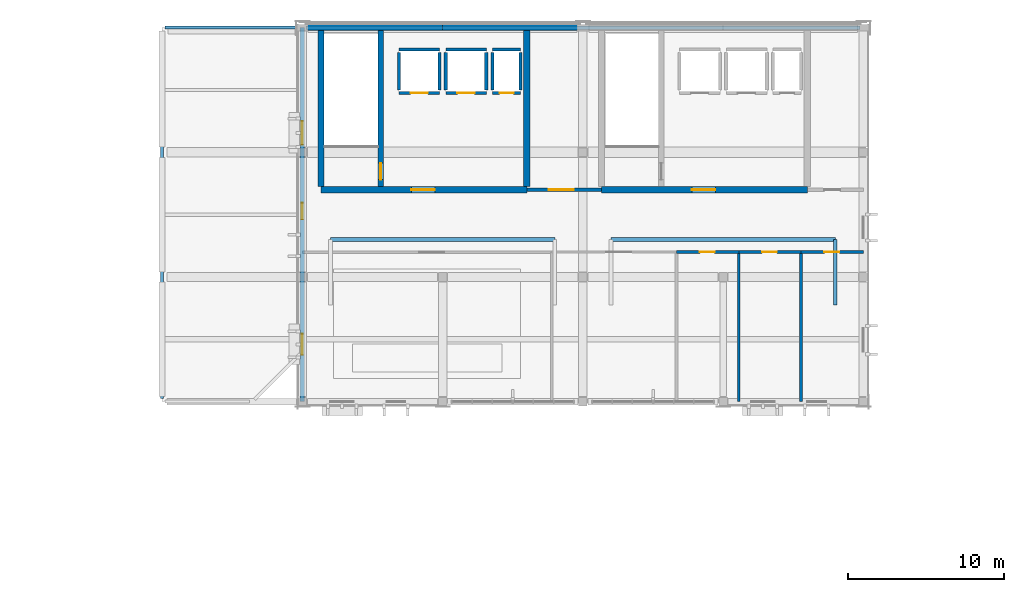
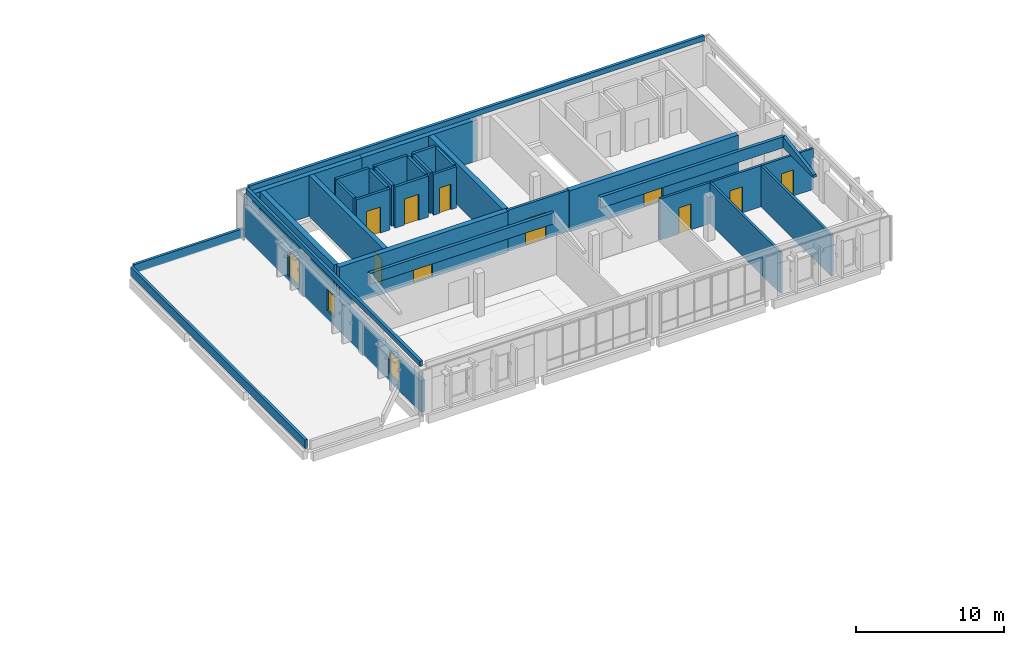
# One storey, part 8 of 12: 33 walls, 10 doors, 3 windows, 13 openings.
"""IFC4 building model written with IfcOpenShell, lengths in metres."""

from ifc_helpers import new_model, si_unit, direction, frame, frame_2d, origin, place, context, subcontext, project, spatial, polyline, rectangle, outline, extrude, material, layer, layer_set, type_object, element, fill, save


model = new_model("IFC4")

# Units and contexts
model_context = context("Model", 3, precision=1e-05, world=origin(), true_north=direction((0.0, 1.0)))
body_context = subcontext(model_context, "Body", "Model", "MODEL_VIEW")
ifc_project = project(units=[si_unit("LENGTHUNIT", "METRE"), si_unit("AREAUNIT", "SQUARE_METRE"), si_unit("VOLUMEUNIT", "CUBIC_METRE"), si_unit("PLANEANGLEUNIT", "RADIAN"), si_unit("MASSUNIT", "GRAM", prefix="KILO")], contexts=[model_context])

# Site, building, storey
site_placement = place(None, origin())
site = spatial("IfcSite", under=ifc_project, at=site_placement, CompositionType="ELEMENT")
building_placement = place(site_placement, origin())
building = spatial("IfcBuilding", under=site, at=building_placement, Name="Vervanel Yard Central Library", CompositionType="ELEMENT")
storey_placement = place(building_placement, frame((0.0, 0.0, 20.260009765625)))
storey = spatial("IfcBuildingStorey", under=building, at=storey_placement, Name="L05", CompositionType="ELEMENT", Elevation=20.260009765625)

# Wall, openings, windows
ifc_material_1 = material(Name="Precast concrete C45/55", Category="concrete")
ifc_layer_1 = layer(ifc_material_1, 0.300048828125, Category="concrete")
ifc_layer_set_1 = layer_set([ifc_layer_1], Name="Precast concrete C45/55")
wall_type_1 = type_object("IfcWallType", Name="Bush-Hammered Precast Cladding Wall 300", PredefinedType="SOLIDWALL", material=ifc_layer_set_1)
wall_1_placement = place(storey_placement, frame((45.0, 90.0, 0.0), z_axis=(0.0, 0.0, 1.0), x_axis=(0.0, 1.0, 0.0)))
wall_1 = element("IfcWall", 1, at=wall_1_placement, inside=storey, type_object=wall_type_1, Name="L05 Bush-Hammered Precast Cladding Wall 300 EWALL-L05-0078", PredefinedType="SOLIDWALL", context=body_context, shape_type="SweptSolid", body=[
    extrude(rectangle(XDim=24.0, YDim=0.300048828125, at=frame_2d((12.0, 0.0))), origin(), (0.0, 0.0, 1.0), 2.5849609375),
])
opening_1_placement = place(wall_1_placement, frame((3.0, 0.0, 0.614990234375)))
opening_1 = element("IfcOpeningElement", 2, at=opening_1_placement, cuts=wall_1, Name="Opening WN-17", PredefinedType="OPENING", context=body_context, shape_type="SweptSolid", body=[
    extrude(rectangle(XDim=1.35009765625, YDim=1.85009765625, at=frame_2d((0.675048828125, 0.925048828125))), frame((0.0, 0.159912109375, 0.0), z_axis=(0.0, -1.0, 0.0), x_axis=(1.0, 0.0, 0.0)), (0.0, 0.0, 1.0), 0.320068359375),
])
opening_2_placement = place(wall_1_placement, frame((11.699951171875, 0.0, 0.715087890625)))
opening_2 = element("IfcOpeningElement", 3, at=opening_2_placement, cuts=wall_1, Name="Opening WN-16", PredefinedType="OPENING", context=body_context, shape_type="SweptSolid", body=[
    extrude(rectangle(XDim=1.050048828125, YDim=1.75, at=frame_2d((0.52490234375, 0.875))), frame((0.0, 0.159912109375, 0.0), z_axis=(0.0, -1.0, 0.0), x_axis=(1.0, 0.0, 0.0)), (0.0, 0.0, 1.0), 0.320068359375),
])
opening_3_placement = place(wall_1_placement, frame((16.5, 0.0, 0.364990234375)))
opening_3 = element("IfcOpeningElement", 4, at=opening_3_placement, cuts=wall_1, Name="Opening WN-02", PredefinedType="OPENING", context=body_context, shape_type="SweptSolid", body=[
    extrude(rectangle(XDim=1.5, YDim=2.10009765625, at=frame_2d((0.75, 1.050048828125))), frame((0.0, 0.159912109375, 0.0), z_axis=(0.0, -1.0, 0.0), x_axis=(1.0, 0.0, 0.0)), (0.0, 0.0, 1.0), 0.320068359375),
])
ifc_material_2 = material(Name="Double low-E laminated solar-control glass", Category="glass")
window_type_1 = type_object("IfcWindowType", Name="Archive Office Window 1350x1850", PartitioningType="SINGLE_PANEL", PredefinedType="WINDOW", material=ifc_material_2)
window_1_placement = place(opening_1_placement, origin())
window_1 = element("IfcWindow", 5, at=window_1_placement, inside=storey, type_object=window_type_1, Name="L05 Archive Office Window 1350x1850 104", OverallHeight=1.85009765625, OverallWidth=1.35009765625, PartitioningType="SINGLE_PANEL", PredefinedType="WINDOW", context=body_context, shape_type="SweptSolid", body=[
    extrude(rectangle(XDim=1.35009765625, YDim=1.85009765625, at=frame_2d((0.675048828125, 0.925048828125))), frame((0.0, 0.030029296875, 0.0), z_axis=(0.0, -1.0, 0.0), x_axis=(1.0, 0.0, 0.0)), (0.0, 0.0, 1.0), 0.06005859375),
])
fill(opening_1, window_1)
window_type_2 = type_object("IfcWindowType", Name="Reading Bay Window 1500x2100", PartitioningType="SINGLE_PANEL", PredefinedType="WINDOW", material=ifc_material_2)
window_2_placement = place(opening_3_placement, origin())
window_2 = element("IfcWindow", 6, at=window_2_placement, inside=storey, type_object=window_type_2, Name="L05 Reading Bay Window 1500x2100 106", OverallHeight=2.10009765625, OverallWidth=1.5, PartitioningType="SINGLE_PANEL", PredefinedType="WINDOW", context=body_context, shape_type="SweptSolid", body=[
    extrude(rectangle(XDim=1.5, YDim=2.10009765625, at=frame_2d((0.75, 1.050048828125))), frame((0.0, 0.030029296875, 0.0), z_axis=(0.0, -1.0, 0.0), x_axis=(1.0, 0.0, 0.0)), (0.0, 0.0, 1.0), 0.06005859375),
])
fill(opening_3, window_2)
window_type_3 = type_object("IfcWindowType", Name="Study Carrel Punch Window 1050x1750", PartitioningType="SINGLE_PANEL", PredefinedType="WINDOW", material=ifc_material_2)
window_3_placement = place(opening_2_placement, origin())
window_3 = element("IfcWindow", 7, at=window_3_placement, inside=storey, type_object=window_type_3, Name="L05 Study Carrel Punch Window 1050x1750 105", OverallHeight=1.75, OverallWidth=1.050048828125, PartitioningType="SINGLE_PANEL", PredefinedType="WINDOW", context=body_context, shape_type="SweptSolid", body=[
    extrude(rectangle(XDim=1.050048828125, YDim=1.75, at=frame_2d((0.52490234375, 0.875))), frame((0.0, 0.030029296875, 0.0), z_axis=(0.0, -1.0, 0.0), x_axis=(1.0, 0.0, 0.0)), (0.0, 0.0, 1.0), 0.06005859375),
])
fill(opening_2, window_3)

# Wall, opening, door
ifc_material_3 = material(Name="Concrete C45/55", Category="concrete")
ifc_layer_2 = layer(ifc_material_3, 0.39990234375, Category="concrete")
ifc_layer_set_2 = layer_set([ifc_layer_2], Name="Concrete C45/55")
wall_type_2 = type_object("IfcWallType", Name="Core Primary Shear Wall 400", PredefinedType="SHEAR", material=ifc_layer_set_2)
wall_2_placement = place(storey_placement, frame((46.199951171875, 103.60009765625, 0.0), z_axis=(0.0, 0.0, 1.0), x_axis=(1.0, 0.0, 0.0)))
wall_2 = element("IfcWall", 8, at=wall_2_placement, inside=storey, type_object=wall_type_2, Name="L05 CORE-A Shear Wall S", PredefinedType="SHEAR", context=body_context, shape_type="SweptSolid", body=[
    extrude(rectangle(XDim=13.199951171875, YDim=0.39990234375, at=frame_2d((6.60009765625, 0.0))), origin(), (0.0, 0.0, 1.0), 3.389892578125),
])
opening_4_placement = place(wall_2_placement, frame((5.800048828125, 0.0, 0.0)))
opening_4 = element("IfcOpeningElement", 9, at=opening_4_placement, cuts=wall_2, Name="Opening DR-F02", PredefinedType="OPENING", context=body_context, shape_type="SweptSolid", body=[
    extrude(rectangle(XDim=1.5, YDim=2.199951171875, at=frame_2d((0.75, 1.10009765625))), frame((0.0, 0.2099609375, 0.0), z_axis=(0.0, -1.0, 0.0), x_axis=(1.0, 0.0, 0.0)), (0.0, 0.0, 1.0), 0.419921875),
])
ifc_material_4 = material(Name="Galvanized painted steelwork ASTM A500 Grade C", Category="steel")
door_type_1 = type_object("IfcDoorType", Name="Fire-Rated Lobby Door 1500x2200", OperationType="NOTDEFINED", PredefinedType="DOOR", material=ifc_material_4)
door_1_placement = place(opening_4_placement, origin())
door_1 = element("IfcDoor", 10, at=door_1_placement, inside=storey, type_object=door_type_1, Name="L05 CORE-A Lobby Fire Door", OperationType="DOUBLE_DOOR_SINGLE_SWING", OverallHeight=2.199951171875, OverallWidth=1.5, PredefinedType="DOOR", context=body_context, shape_type="SweptSolid", body=[
    extrude(rectangle(XDim=1.5, YDim=2.199951171875, at=frame_2d((0.75, 1.10009765625))), frame((0.0, 0.02490234375, 0.0), z_axis=(0.0, -1.0, 0.0), x_axis=(1.0, 0.0, 0.0)), (0.0, 0.0, 1.0), 0.050048828125),
])
fill(opening_4, door_1)

# Walls
for number, where, z_axis, x_axis, name in (
    (11, (46.199951171875, 103.800048828125, 0.0), (0.0, 0.0, 1.0), (0.0, 1.0, 0.0), "L05 CORE-A Shear Wall W"),
    (12, (59.39990234375, 103.800048828125, 0.0), (0.0, 0.0, 1.0), (0.0, 1.0, 0.0), "L05 CORE-A Shear Wall E"),
):
    element("IfcWall", number, at=place(storey_placement, frame(where, z_axis=z_axis, x_axis=x_axis)), inside=storey, type_object=wall_type_2, Name=name, PredefinedType="SHEAR", context=body_context, shape_type="SweptSolid", body=[
        extrude(rectangle(XDim=10.010009765625, YDim=0.39990234375, at=frame_2d((5.0048828125, 0.0))), origin(), (0.0, 0.0, 1.0), 3.389892578125),
    ])

# Wall, opening, door
wall_3_placement = place(storey_placement, frame((64.199951171875, 103.60009765625, 0.0), z_axis=(0.0, 0.0, 1.0), x_axis=(1.0, 0.0, 0.0)))
wall_3 = element("IfcWall", 13, at=wall_3_placement, inside=storey, type_object=wall_type_2, Name="L05 CORE-B Shear Wall S", PredefinedType="SHEAR", context=body_context, shape_type="SweptSolid", body=[
    extrude(rectangle(XDim=13.199951171875, YDim=0.39990234375, at=frame_2d((6.60009765625, 0.0))), origin(), (0.0, 0.0, 1.0), 3.389892578125),
])
opening_5_placement = place(wall_3_placement, frame((5.800048828125, 0.0, 0.0)))
opening_5 = element("IfcOpeningElement", 14, at=opening_5_placement, cuts=wall_3, Name="Opening DR-F02", PredefinedType="OPENING", context=body_context, shape_type="SweptSolid", body=[
    extrude(rectangle(XDim=1.5, YDim=2.199951171875, at=frame_2d((0.75, 1.10009765625))), frame((0.0, 0.2099609375, 0.0), z_axis=(0.0, -1.0, 0.0), x_axis=(1.0, 0.0, 0.0)), (0.0, 0.0, 1.0), 0.419921875),
])
door_2_placement = place(opening_5_placement, origin())
door_2 = element("IfcDoor", 15, at=door_2_placement, inside=storey, type_object=door_type_1, Name="L05 CORE-B Lobby Fire Door", OperationType="DOUBLE_DOOR_SINGLE_SWING", OverallHeight=2.199951171875, OverallWidth=1.5, PredefinedType="DOOR", context=body_context, shape_type="SweptSolid", body=[
    extrude(rectangle(XDim=1.5, YDim=2.199951171875, at=frame_2d((0.75, 1.10009765625))), frame((0.0, 0.02490234375, 0.0), z_axis=(0.0, -1.0, 0.0), x_axis=(1.0, 0.0, 0.0)), (0.0, 0.0, 1.0), 0.050048828125),
])
fill(opening_5, door_2)

ifc_layer_3 = layer(ifc_material_3, 0.35009765625, Category="concrete")
ifc_layer_set_3 = layer_set([ifc_layer_3], Name="Concrete C45/55")
wall_type_3 = type_object("IfcWallType", Name="Core Secondary Shear Wall 350", PredefinedType="SHEAR", material=ifc_layer_set_3)
wall_4_placement = place(storey_placement, frame((50.02490234375, 103.800048828125, 0.0), z_axis=(0.0, 0.0, 1.0), x_axis=(0.0, 1.0, 0.0)))
wall_4 = element("IfcWall", 16, at=wall_4_placement, inside=storey, type_object=wall_type_3, Name="L05 CORE-A Stair Shaft Wall", PredefinedType="SHEAR", context=body_context, shape_type="SweptSolid", body=[
    extrude(rectangle(XDim=10.010009765625, YDim=0.35009765625, at=frame_2d((5.0048828125, 0.0))), origin(), (0.0, 0.0, 1.0), 3.389892578125),
])
opening_6_placement = place(wall_4_placement, frame((0.449951171875, 0.0, 0.0)))
opening_6 = element("IfcOpeningElement", 17, at=opening_6_placement, cuts=wall_4, Name="Opening DR-F01", PredefinedType="OPENING", context=body_context, shape_type="SweptSolid", body=[
    extrude(rectangle(XDim=1.050048828125, YDim=2.199951171875, at=frame_2d((0.52490234375, 1.10009765625))), frame((0.0, 0.18505859375, 0.0), z_axis=(0.0, -1.0, 0.0), x_axis=(1.0, 0.0, 0.0)), (0.0, 0.0, 1.0), 0.3701171875),
])
door_type_2 = type_object("IfcDoorType", Name="Fire-Rated Stair Exit Door 1050x2200", OperationType="NOTDEFINED", PredefinedType="DOOR", material=ifc_material_4)
door_3_placement = place(opening_6_placement, origin())
door_3 = element("IfcDoor", 18, at=door_3_placement, inside=storey, type_object=door_type_2, Name="L05 CORE-A Stair Door", OperationType="SINGLE_SWING_RIGHT", OverallHeight=2.199951171875, OverallWidth=1.050048828125, PredefinedType="DOOR", context=body_context, shape_type="SweptSolid", body=[
    extrude(rectangle(XDim=1.050048828125, YDim=2.199951171875, at=frame_2d((0.52490234375, 1.10009765625))), frame((0.0, 0.02490234375, 0.0), z_axis=(0.0, -1.0, 0.0), x_axis=(1.0, 0.0, 0.0)), (0.0, 0.0, 1.0), 0.050048828125),
])
fill(opening_6, door_3)

# Walls
ifc_layer_4 = layer(ifc_material_3, 0.3798828125, Category="concrete")
ifc_layer_set_4 = layer_set([ifc_layer_4], Name="Concrete C45/55")
wall_type_4 = type_object("IfcWallType", Name="Exterior Bearing Concrete Spine Wall 380", PredefinedType="SOLIDWALL", material=ifc_layer_set_4)
for number, where, z_axis, x_axis, name in (
    (19, (45.0, 114.0, 0.0), (0.0, 0.0, 1.0), (1.0, 0.0, 0.0), "L05 Exterior Bearing Concrete Spine Wall 380 EWALL-L05-0072"),
    (20, (54.0, 114.0, 0.0), (0.0, 0.0, 1.0), (1.0, 0.0, 0.0), "L05 Exterior Bearing Concrete Spine Wall 380 EWALL-L05-0073"),
):
    element("IfcWall", number, at=place(storey_placement, frame(where, z_axis=z_axis, x_axis=x_axis)), inside=storey, type_object=wall_type_4, Name=name, PredefinedType="SOLIDWALL", context=body_context, shape_type="SweptSolid", body=[
        extrude(rectangle(XDim=9.0, YDim=0.3798828125, at=frame_2d((4.5, 0.0))), origin(), (0.0, 0.0, 1.0), 3.389892578125),
    ])
ifc_material_5 = material(Name="Concrete C40/50", Category="concrete")
ifc_layer_5 = layer(ifc_material_5, 0.219970703125, Category="concrete")
ifc_layer_set_5 = layer_set([ifc_layer_5], Name="Concrete C40/50")
wall_type_5 = type_object("IfcWallType", Name="Main Roof Concrete Parapet 220", PredefinedType="PARAPET", material=ifc_layer_set_5)
wall_5_placement = place(storey_placement, frame((80.780029296875, 114.0, 3.639892578125), z_axis=(0.0, 0.0, 1.0), x_axis=(-1.0, 0.0, 0.0)))
element("IfcWall", 21, at=wall_5_placement, inside=storey, type_object=wall_type_5, Name="RF Roof Parapet 44", PredefinedType="PARAPET", context=body_context, shape_type="SweptSolid", body=[
    extrude(rectangle(XDim=35.56005859375, YDim=0.219970703125, at=frame_2d((17.780029296875, 0.0))), origin(), (0.0, 0.0, 1.0), 0.420166015625),
])
wall_6_placement = place(storey_placement, frame((45.0, 113.780029296875, 3.639892578125), z_axis=(0.0, 0.0, 1.0), x_axis=(0.0, -1.0, 0.0)))
element("IfcWall", 22, at=wall_6_placement, inside=storey, type_object=wall_type_5, Name="RF Roof Parapet 45", PredefinedType="PARAPET", context=body_context, shape_type="SweptSolid", body=[
    extrude(rectangle(XDim=23.56005859375, YDim=0.219970703125, at=frame_2d((11.780029296875, 0.0))), origin(), (0.0, 0.0, 1.0), 0.420166015625),
])
ifc_layer_6 = layer(ifc_material_5, 0.239990234375, Category="concrete")
ifc_layer_set_6 = layer_set([ifc_layer_6], Name="Concrete C40/50")
wall_type_6 = type_object("IfcWallType", Name="Monitor Clerestory Apron Wall 240", PredefinedType="SOLIDWALL", material=ifc_layer_set_6)
for number, where, z_axis, x_axis, name in (
    (23, (46.800048828125, 100.39990234375, 3.639892578125), (0.0, 0.0, 1.0), (1.0, 0.0, 0.0), "L05 Monitor Clerestory Apron Wall 240 EWALL-L05-0080"),
    (24, (64.800048828125, 100.39990234375, 3.639892578125), (0.0, 0.0, 1.0), (1.0, 0.0, 0.0), "L05 Monitor Clerestory Apron Wall 240 EWALL-L05-0083"),
):
    element("IfcWall", number, at=place(storey_placement, frame(where, z_axis=z_axis, x_axis=x_axis)), inside=storey, type_object=wall_type_6, Name=name, PredefinedType="SOLIDWALL", context=body_context, shape_type="SweptSolid", body=[
        extrude(rectangle(XDim=14.39990234375, YDim=0.239990234375, at=frame_2d((7.199951171875, 0.0))), origin(), (0.0, 0.0, 1.0), 0.920166015625),
    ])
wall_7_placement = place(storey_placement, frame((79.199951171875, 96.199951171875, 3.639892578125), z_axis=(0.0, 0.0, 1.0), x_axis=(0.0, 1.0, 0.0)))
element("IfcWall", 25, at=wall_7_placement, inside=storey, type_object=wall_type_6, Name="L05 Monitor Clerestory Apron Wall 240 EWALL-L05-0085", PredefinedType="SOLIDWALL", context=body_context, shape_type="SweptSolid", body=[
    extrude(outline(polyline([(0.0, 0.0), (4.199951171875, 0.0), (4.199951171875, 0.920166015625), (0.0, 0.22021484375), (0.0, 0.0)])), frame((0.0, 0.1201171875, 0.0), z_axis=(0.0, -1.0, 0.0), x_axis=(1.0, 0.0, 0.0)), (0.0, 0.0, 1.0), 0.239990234375),
])

# Wall, opening, door
ifc_material_6 = material(Name="Fire-rated gypsum board on steel studs", Category="steel")
ifc_layer_7 = layer(ifc_material_6, 0.179931640625, Category="steel")
ifc_layer_set_7 = layer_set([ifc_layer_7], Name="Fire-rated gypsum board on steel studs")
wall_type_7 = type_object("IfcWallType", Name="Plumbing Chase Wall 180", PredefinedType="PLUMBINGWALL", material=ifc_layer_set_7)
wall_8_placement = place(storey_placement, frame((69.0, 99.60009765625, 0.0), z_axis=(0.0, 0.0, 1.0), x_axis=(1.0, 0.0, 0.0)))
wall_8 = element("IfcWall", 26, at=wall_8_placement, inside=storey, type_object=wall_type_7, Name="L05 Plumbing Chase Wall 180 IPART-L05-0126", PredefinedType="PLUMBINGWALL", context=body_context, shape_type="SweptSolid", body=[
    extrude(rectangle(XDim=4.0, YDim=0.179931640625, at=frame_2d((2.0, 0.0))), origin(), (0.0, 0.0, 1.0), 3.389892578125),
])
opening_7_placement = place(wall_8_placement, frame((1.5, 0.0, 0.0)))
opening_7 = element("IfcOpeningElement", 27, at=opening_7_placement, cuts=wall_8, Name="Opening DR-02", PredefinedType="OPENING", context=body_context, shape_type="SweptSolid", body=[
    extrude(rectangle(XDim=0.949951171875, YDim=2.14990234375, at=frame_2d((0.47509765625, 1.074951171875))), frame((0.0, 0.099853515625, 0.0), z_axis=(0.0, -1.0, 0.0), x_axis=(1.0, 0.0, 0.0)), (0.0, 0.0, 1.0), 0.199951171875),
])
ifc_material_7 = material(Name="Solid white oak acoustic joinery", Category="wood")
door_type_3 = type_object("IfcDoorType", Name="Interior Accessible Restroom Door 950x2150", OperationType="NOTDEFINED", PredefinedType="DOOR", material=ifc_material_7)
door_4_placement = place(opening_7_placement, origin())
door_4 = element("IfcDoor", 28, at=door_4_placement, inside=storey, type_object=door_type_3, Name="L05 Interior Accessible Restroom Door 950x2150 IDOOR-L05-0098", OperationType="SINGLE_SWING_RIGHT", OverallHeight=2.14990234375, OverallWidth=0.949951171875, PredefinedType="DOOR", context=body_context, shape_type="SweptSolid", body=[
    extrude(rectangle(XDim=0.949951171875, YDim=2.14990234375, at=frame_2d((0.47509765625, 1.074951171875))), frame((0.0, 0.02490234375, 0.0), z_axis=(0.0, -1.0, 0.0), x_axis=(1.0, 0.0, 0.0)), (0.0, 0.0, 1.0), 0.050048828125),
])
fill(opening_7, door_4)

wall_9_placement = place(storey_placement, frame((73.0, 99.60009765625, 0.0), z_axis=(0.0, 0.0, 1.0), x_axis=(1.0, 0.0, 0.0)))
wall_9 = element("IfcWall", 29, at=wall_9_placement, inside=storey, type_object=wall_type_7, Name="L05 Plumbing Chase Wall 180 IPART-L05-0128", PredefinedType="PLUMBINGWALL", context=body_context, shape_type="SweptSolid", body=[
    extrude(rectangle(XDim=4.0, YDim=0.179931640625, at=frame_2d((2.0, 0.0))), origin(), (0.0, 0.0, 1.0), 3.389892578125),
])
opening_8_placement = place(wall_9_placement, frame((1.5, 0.0, 0.0)))
opening_8 = element("IfcOpeningElement", 30, at=opening_8_placement, cuts=wall_9, Name="Opening DR-02", PredefinedType="OPENING", context=body_context, shape_type="SweptSolid", body=[
    extrude(rectangle(XDim=0.949951171875, YDim=2.14990234375, at=frame_2d((0.47509765625, 1.074951171875))), frame((0.0, 0.099853515625, 0.0), z_axis=(0.0, -1.0, 0.0), x_axis=(1.0, 0.0, 0.0)), (0.0, 0.0, 1.0), 0.199951171875),
])
door_5_placement = place(opening_8_placement, origin())
door_5 = element("IfcDoor", 31, at=door_5_placement, inside=storey, type_object=door_type_3, Name="L05 Interior Accessible Restroom Door 950x2150 IDOOR-L05-0099", OperationType="SINGLE_SWING_LEFT", OverallHeight=2.14990234375, OverallWidth=0.949951171875, PredefinedType="DOOR", context=body_context, shape_type="SweptSolid", body=[
    extrude(rectangle(XDim=0.949951171875, YDim=2.14990234375, at=frame_2d((0.47509765625, 1.074951171875))), frame((0.0, 0.02490234375, 0.0), z_axis=(0.0, -1.0, 0.0), x_axis=(1.0, 0.0, 0.0)), (0.0, 0.0, 1.0), 0.050048828125),
])
fill(opening_8, door_5)

# Wall
wall_10_placement = place(storey_placement, frame((73.0, 90.0, 0.0), z_axis=(0.0, 0.0, 1.0), x_axis=(0.0, 1.0, 0.0)))
element("IfcWall", 32, at=wall_10_placement, inside=storey, type_object=wall_type_7, Name="L05 Plumbing Chase Wall 180 IPART-L05-0129", PredefinedType="PLUMBINGWALL", context=body_context, shape_type="SweptSolid", body=[
    extrude(rectangle(XDim=9.60009765625, YDim=0.179931640625, at=frame_2d((4.800048828125, 0.0))), origin(), (0.0, 0.0, 1.0), 3.389892578125),
])

# Wall, opening, door
wall_11_placement = place(storey_placement, frame((77.0, 99.60009765625, 0.0), z_axis=(0.0, 0.0, 1.0), x_axis=(1.0, 0.0, 0.0)))
wall_11 = element("IfcWall", 33, at=wall_11_placement, inside=storey, type_object=wall_type_7, Name="L05 Plumbing Chase Wall 180 IPART-L05-0130", PredefinedType="PLUMBINGWALL", context=body_context, shape_type="SweptSolid", body=[
    extrude(rectangle(XDim=4.0, YDim=0.179931640625, at=frame_2d((2.0, 0.0))), origin(), (0.0, 0.0, 1.0), 3.389892578125),
])
opening_9_placement = place(wall_11_placement, frame((1.5, 0.0, 0.0)))
opening_9 = element("IfcOpeningElement", 34, at=opening_9_placement, cuts=wall_11, Name="Opening DR-02", PredefinedType="OPENING", context=body_context, shape_type="SweptSolid", body=[
    extrude(rectangle(XDim=0.949951171875, YDim=2.14990234375, at=frame_2d((0.47509765625, 1.074951171875))), frame((0.0, 0.099853515625, 0.0), z_axis=(0.0, -1.0, 0.0), x_axis=(1.0, 0.0, 0.0)), (0.0, 0.0, 1.0), 0.199951171875),
])
door_6_placement = place(opening_9_placement, origin())
door_6 = element("IfcDoor", 35, at=door_6_placement, inside=storey, type_object=door_type_3, Name="L05 Interior Accessible Restroom Door 950x2150 IDOOR-L05-0100", OperationType="SINGLE_SWING_RIGHT", OverallHeight=2.14990234375, OverallWidth=0.949951171875, PredefinedType="DOOR", context=body_context, shape_type="SweptSolid", body=[
    extrude(rectangle(XDim=0.949951171875, YDim=2.14990234375, at=frame_2d((0.47509765625, 1.074951171875))), frame((0.0, 0.02490234375, 0.0), z_axis=(0.0, -1.0, 0.0), x_axis=(1.0, 0.0, 0.0)), (0.0, 0.0, 1.0), 0.050048828125),
])
fill(opening_9, door_6)

# Walls
wall_12_placement = place(storey_placement, frame((77.0, 90.0, 0.0), z_axis=(0.0, 0.0, 1.0), x_axis=(0.0, 1.0, 0.0)))
element("IfcWall", 36, at=wall_12_placement, inside=storey, type_object=wall_type_7, Name="L05 Plumbing Chase Wall 180 IPART-L05-0131", PredefinedType="PLUMBINGWALL", context=body_context, shape_type="SweptSolid", body=[
    extrude(rectangle(XDim=9.60009765625, YDim=0.179931640625, at=frame_2d((4.800048828125, 0.0))), origin(), (0.0, 0.0, 1.0), 3.389892578125),
])
ifc_layer_8 = layer(ifc_material_5, 0.199951171875, Category="concrete")
ifc_layer_set_8 = layer_set([ifc_layer_8], Name="Concrete C40/50")
wall_type_8 = type_object("IfcWallType", Name="Setback Roof Concrete Parapet 200", PredefinedType="PARAPET", material=ifc_layer_set_8)
wall_13_placement = place(storey_placement, frame((44.800048828125, 114.0, 0.0), z_axis=(0.0, 0.0, 1.0), x_axis=(-1.0, 0.0, 0.0)))
element("IfcWall", 37, at=wall_13_placement, inside=storey, type_object=wall_type_8, Name="L05 Roof Parapet 36", PredefinedType="PARAPET", context=body_context, shape_type="SweptSolid", body=[
    extrude(rectangle(XDim=8.60009765625, YDim=0.199951171875, at=frame_2d((4.300048828125, 0.0))), origin(), (0.0, 0.0, 1.0), 0.719970703125),
])
wall_14_placement = place(storey_placement, frame((36.0, 113.800048828125, 0.0), z_axis=(0.0, 0.0, 1.0), x_axis=(0.0, -1.0, 0.0)))
element("IfcWall", 38, at=wall_14_placement, inside=storey, type_object=wall_type_8, Name="L05 Roof Parapet 37", PredefinedType="PARAPET", context=body_context, shape_type="SweptSolid", body=[
    extrude(rectangle(XDim=23.60009765625, YDim=0.199951171875, at=frame_2d((11.800048828125, 0.0))), origin(), (0.0, 0.0, 1.0), 0.719970703125),
])

# Wall, opening, door
ifc_layer_9 = layer(ifc_material_5, 0.199951171875, Category="concrete")
ifc_layer_set_9 = layer_set([ifc_layer_9], Name="Concrete C40/50")
wall_type_9 = type_object("IfcWallType", Name="Shaft & Plant Rated Wall 200", PredefinedType="PARTITIONING", material=ifc_layer_set_9)
wall_15_placement = place(storey_placement, frame((51.199951171875, 109.800048828125, 0.0), z_axis=(0.0, 0.0, 1.0), x_axis=(1.0, 0.0, 0.0)))
wall_15 = element("IfcWall", 39, at=wall_15_placement, inside=storey, type_object=wall_type_9, Name="L05 CORE-A-L05-EL-01 Shaft Wall S", PredefinedType="PARTITIONING", context=body_context, shape_type="SweptSolid", body=[
    extrude(rectangle(XDim=2.60009765625, YDim=0.199951171875, at=frame_2d((1.300048828125, 0.0))), origin(), (0.0, 0.0, 1.0), 3.389892578125),
])
opening_10_placement = place(wall_15_placement, frame((0.75, 0.0, 0.0)))
opening_10 = element("IfcOpeningElement", 40, at=opening_10_placement, cuts=wall_15, Name="Opening LD-01", PredefinedType="OPENING", context=body_context, shape_type="SweptSolid", body=[
    extrude(rectangle(XDim=1.10009765625, YDim=2.14990234375, at=frame_2d((0.550048828125, 1.074951171875))), frame((0.0, 0.10986328125, 0.0), z_axis=(0.0, -1.0, 0.0), x_axis=(1.0, 0.0, 0.0)), (0.0, 0.0, 1.0), 0.219970703125),
])
ifc_material_8 = material(Name="Brushed stainless steel AISI 316", Category="steel")
door_type_4 = type_object("IfcDoorType", Name="Passenger Lift Sliding Landing Door 1100x2150", OperationType="NOTDEFINED", PredefinedType="DOOR", material=ifc_material_8)
door_7_placement = place(opening_10_placement, origin())
door_7 = element("IfcDoor", 41, at=door_7_placement, inside=storey, type_object=door_type_4, Name="L05 Lift EL-01 Landing Door", OperationType="SLIDING_TO_LEFT", OverallHeight=2.14990234375, OverallWidth=1.10009765625, PredefinedType="DOOR", context=body_context, shape_type="SweptSolid", body=[
    extrude(rectangle(XDim=1.10009765625, YDim=2.14990234375, at=frame_2d((0.550048828125, 1.074951171875))), frame((0.0, 0.02490234375, 0.0), z_axis=(0.0, -1.0, 0.0), x_axis=(1.0, 0.0, 0.0)), (0.0, 0.0, 1.0), 0.050048828125),
])
fill(opening_10, door_7)

# Walls
wall_16_placement = place(storey_placement, frame((51.199951171875, 112.60009765625, 0.0), z_axis=(0.0, 0.0, 1.0), x_axis=(1.0, 0.0, 0.0)))
element("IfcWall", 42, at=wall_16_placement, inside=storey, type_object=wall_type_9, Name="L05 CORE-A-L05-EL-01 Shaft Wall N", PredefinedType="PARTITIONING", context=body_context, shape_type="SweptSolid", body=[
    extrude(rectangle(XDim=2.60009765625, YDim=0.199951171875, at=frame_2d((1.300048828125, 0.0))), origin(), (0.0, 0.0, 1.0), 3.389892578125),
])
for number, where, z_axis, x_axis, name in (
    (43, (51.199951171875, 110.0, 0.0), (0.0, 0.0, 1.0), (0.0, 1.0, 0.0), "L05 CORE-A-L05-EL-01 Shaft Wall W"),
    (44, (53.800048828125, 110.0, 0.0), (0.0, 0.0, 1.0), (0.0, 1.0, 0.0), "L05 CORE-A-L05-EL-01 Shaft Wall E"),
):
    element("IfcWall", number, at=place(storey_placement, frame(where, z_axis=z_axis, x_axis=x_axis)), inside=storey, type_object=wall_type_9, Name=name, PredefinedType="PARTITIONING", context=body_context, shape_type="SweptSolid", body=[
        extrude(rectangle(XDim=2.39990234375, YDim=0.199951171875, at=frame_2d((1.199951171875, 0.0))), origin(), (0.0, 0.0, 1.0), 3.389892578125),
    ])

# Wall, opening, door
wall_17_placement = place(storey_placement, frame((54.199951171875, 109.800048828125, 0.0), z_axis=(0.0, 0.0, 1.0), x_axis=(1.0, 0.0, 0.0)))
wall_17 = element("IfcWall", 45, at=wall_17_placement, inside=storey, type_object=wall_type_9, Name="L05 CORE-A-L05-EL-02 Shaft Wall S", PredefinedType="PARTITIONING", context=body_context, shape_type="SweptSolid", body=[
    extrude(rectangle(XDim=2.60009765625, YDim=0.199951171875, at=frame_2d((1.300048828125, 0.0))), origin(), (0.0, 0.0, 1.0), 3.389892578125),
])
opening_11_placement = place(wall_17_placement, frame((0.75, 0.0, 0.0)))
opening_11 = element("IfcOpeningElement", 46, at=opening_11_placement, cuts=wall_17, Name="Opening LD-01", PredefinedType="OPENING", context=body_context, shape_type="SweptSolid", body=[
    extrude(rectangle(XDim=1.10009765625, YDim=2.14990234375, at=frame_2d((0.550048828125, 1.074951171875))), frame((0.0, 0.10986328125, 0.0), z_axis=(0.0, -1.0, 0.0), x_axis=(1.0, 0.0, 0.0)), (0.0, 0.0, 1.0), 0.219970703125),
])
door_8_placement = place(opening_11_placement, origin())
door_8 = element("IfcDoor", 47, at=door_8_placement, inside=storey, type_object=door_type_4, Name="L05 Lift EL-02 Landing Door", OperationType="SLIDING_TO_RIGHT", OverallHeight=2.14990234375, OverallWidth=1.10009765625, PredefinedType="DOOR", context=body_context, shape_type="SweptSolid", body=[
    extrude(rectangle(XDim=1.10009765625, YDim=2.14990234375, at=frame_2d((0.550048828125, 1.074951171875))), frame((0.0, 0.02490234375, 0.0), z_axis=(0.0, -1.0, 0.0), x_axis=(1.0, 0.0, 0.0)), (0.0, 0.0, 1.0), 0.050048828125),
])
fill(opening_11, door_8)

# Walls
wall_18_placement = place(storey_placement, frame((54.199951171875, 112.60009765625, 0.0), z_axis=(0.0, 0.0, 1.0), x_axis=(1.0, 0.0, 0.0)))
element("IfcWall", 48, at=wall_18_placement, inside=storey, type_object=wall_type_9, Name="L05 CORE-A-L05-EL-02 Shaft Wall N", PredefinedType="PARTITIONING", context=body_context, shape_type="SweptSolid", body=[
    extrude(rectangle(XDim=2.60009765625, YDim=0.199951171875, at=frame_2d((1.300048828125, 0.0))), origin(), (0.0, 0.0, 1.0), 3.389892578125),
])
for number, where, z_axis, x_axis, name in (
    (49, (54.199951171875, 110.0, 0.0), (0.0, 0.0, 1.0), (0.0, 1.0, 0.0), "L05 CORE-A-L05-EL-02 Shaft Wall W"),
    (50, (56.800048828125, 110.0, 0.0), (0.0, 0.0, 1.0), (0.0, 1.0, 0.0), "L05 CORE-A-L05-EL-02 Shaft Wall E"),
):
    element("IfcWall", number, at=place(storey_placement, frame(where, z_axis=z_axis, x_axis=x_axis)), inside=storey, type_object=wall_type_9, Name=name, PredefinedType="PARTITIONING", context=body_context, shape_type="SweptSolid", body=[
        extrude(rectangle(XDim=2.39990234375, YDim=0.199951171875, at=frame_2d((1.199951171875, 0.0))), origin(), (0.0, 0.0, 1.0), 3.389892578125),
    ])

# Wall, opening, door
wall_19_placement = place(storey_placement, frame((57.199951171875, 109.800048828125, 0.0), z_axis=(0.0, 0.0, 1.0), x_axis=(1.0, 0.0, 0.0)))
wall_19 = element("IfcWall", 51, at=wall_19_placement, inside=storey, type_object=wall_type_9, Name="L05 CORE-A-L05-RIS Shaft Wall S", PredefinedType="PARTITIONING", context=body_context, shape_type="SweptSolid", body=[
    extrude(rectangle(XDim=1.800048828125, YDim=0.199951171875, at=frame_2d((0.89990234375, 0.0))), origin(), (0.0, 0.0, 1.0), 3.389892578125),
])
opening_12_placement = place(wall_19_placement, frame((0.449951171875, 0.0, 0.0)))
opening_12 = element("IfcOpeningElement", 52, at=opening_12_placement, cuts=wall_19, Name="Opening DR-03", PredefinedType="OPENING", context=body_context, shape_type="SweptSolid", body=[
    extrude(rectangle(XDim=0.89990234375, YDim=2.10009765625, at=frame_2d((0.449951171875, 1.050048828125))), frame((0.0, 0.10986328125, 0.0), z_axis=(0.0, -1.0, 0.0), x_axis=(1.0, 0.0, 0.0)), (0.0, 0.0, 1.0), 0.219970703125),
])
door_type_5 = type_object("IfcDoorType", Name="Interior Riser Access Door 900x2100", OperationType="NOTDEFINED", PredefinedType="DOOR", material=ifc_material_4)
door_9_placement = place(opening_12_placement, origin())
door_9 = element("IfcDoor", 53, at=door_9_placement, inside=storey, type_object=door_type_5, Name="L05 CORE-A Riser Access Door", OperationType="SINGLE_SWING_RIGHT", OverallHeight=2.10009765625, OverallWidth=0.89990234375, PredefinedType="DOOR", context=body_context, shape_type="SweptSolid", body=[
    extrude(rectangle(XDim=0.89990234375, YDim=2.10009765625, at=frame_2d((0.449951171875, 1.050048828125))), frame((0.0, 0.02490234375, 0.0), z_axis=(0.0, -1.0, 0.0), x_axis=(1.0, 0.0, 0.0)), (0.0, 0.0, 1.0), 0.050048828125),
])
fill(opening_12, door_9)

# Walls
wall_20_placement = place(storey_placement, frame((57.199951171875, 112.60009765625, 0.0), z_axis=(0.0, 0.0, 1.0), x_axis=(1.0, 0.0, 0.0)))
element("IfcWall", 54, at=wall_20_placement, inside=storey, type_object=wall_type_9, Name="L05 CORE-A-L05-RIS Shaft Wall N", PredefinedType="PARTITIONING", context=body_context, shape_type="SweptSolid", body=[
    extrude(rectangle(XDim=1.800048828125, YDim=0.199951171875, at=frame_2d((0.89990234375, 0.0))), origin(), (0.0, 0.0, 1.0), 3.389892578125),
])
for number, where, z_axis, x_axis, name in (
    (55, (57.199951171875, 110.0, 0.0), (0.0, 0.0, 1.0), (0.0, 1.0, 0.0), "L05 CORE-A-L05-RIS Shaft Wall W"),
    (56, (59.0, 110.0, 0.0), (0.0, 0.0, 1.0), (0.0, 1.0, 0.0), "L05 CORE-A-L05-RIS Shaft Wall E"),
):
    element("IfcWall", number, at=place(storey_placement, frame(where, z_axis=z_axis, x_axis=x_axis)), inside=storey, type_object=wall_type_9, Name=name, PredefinedType="PARTITIONING", context=body_context, shape_type="SweptSolid", body=[
        extrude(rectangle(XDim=2.39990234375, YDim=0.199951171875, at=frame_2d((1.199951171875, 0.0))), origin(), (0.0, 0.0, 1.0), 3.389892578125),
    ])

# Wall, opening, door
wall_21_placement = place(storey_placement, frame((59.39990234375, 103.60009765625, 0.0), z_axis=(0.0, 0.0, 1.0), x_axis=(1.0, 0.0, 0.0)))
wall_21 = element("IfcWall", 57, at=wall_21_placement, inside=storey, type_object=wall_type_9, Name="L05 Shaft & Plant Rated Wall 200 IPART-L05-0132", PredefinedType="PARTITIONING", context=body_context, shape_type="SweptSolid", body=[
    extrude(rectangle(XDim=4.800048828125, YDim=0.199951171875, at=frame_2d((2.39990234375, 0.0))), origin(), (0.0, 0.0, 1.0), 3.389892578125),
])
opening_13_placement = place(wall_21_placement, frame((1.39990234375, 0.0, 0.0)))
opening_13 = element("IfcOpeningElement", 58, at=opening_13_placement, cuts=wall_21, Name="Opening DR-F03", PredefinedType="OPENING", context=body_context, shape_type="SweptSolid", body=[
    extrude(rectangle(XDim=1.60009765625, YDim=2.199951171875, at=frame_2d((0.800048828125, 1.10009765625))), frame((0.0, 0.10986328125, 0.0), z_axis=(0.0, -1.0, 0.0), x_axis=(1.0, 0.0, 0.0)), (0.0, 0.0, 1.0), 0.219970703125),
])
door_type_6 = type_object("IfcDoorType", Name="Fire-Rated Plant Double Door 1600x2200", OperationType="NOTDEFINED", PredefinedType="DOOR", material=ifc_material_4)
door_10_placement = place(opening_13_placement, origin())
door_10 = element("IfcDoor", 59, at=door_10_placement, inside=storey, type_object=door_type_6, Name="L05 Fire-Rated Plant Double Door 1600x2200 IDOOR-L05-0101", OperationType="DOUBLE_DOOR_SINGLE_SWING", OverallHeight=2.199951171875, OverallWidth=1.60009765625, PredefinedType="DOOR", context=body_context, shape_type="SweptSolid", body=[
    extrude(rectangle(XDim=1.60009765625, YDim=2.199951171875, at=frame_2d((0.800048828125, 1.10009765625))), frame((0.0, 0.02490234375, 0.0), z_axis=(0.0, -1.0, 0.0), x_axis=(1.0, 0.0, 0.0)), (0.0, 0.0, 1.0), 0.050048828125),
])
fill(opening_13, door_10)

save(model, "model.ifc")
